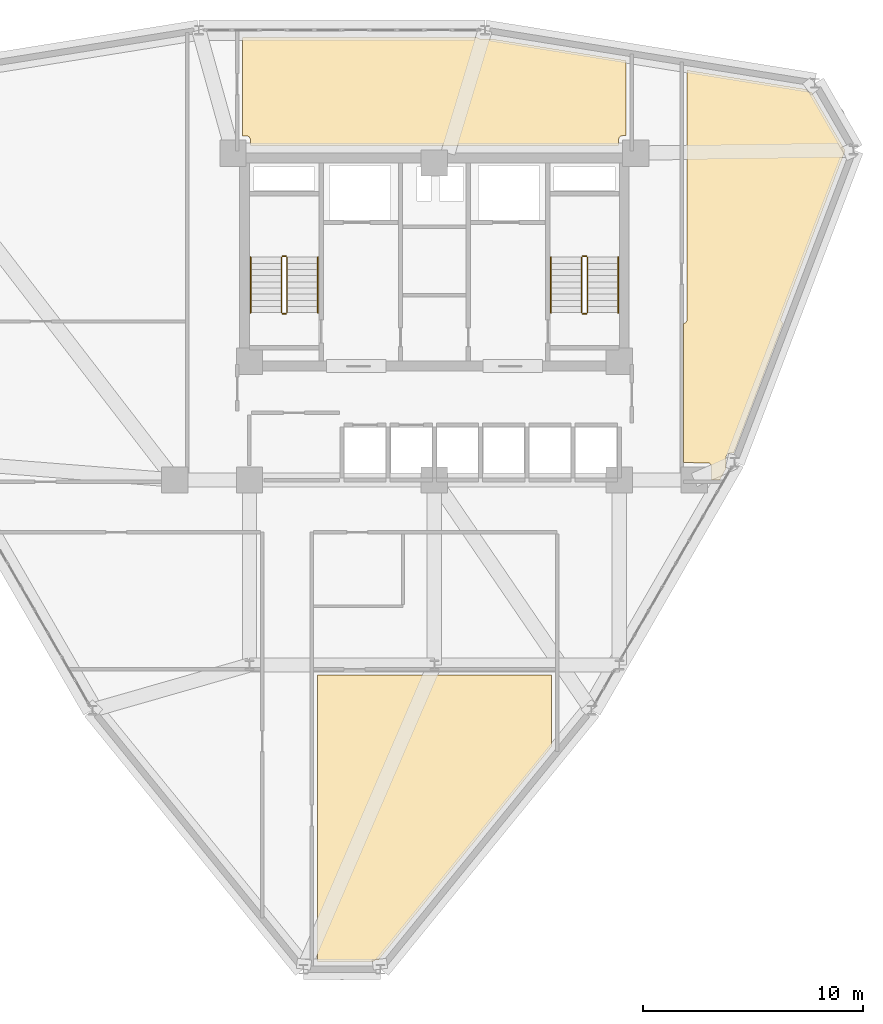
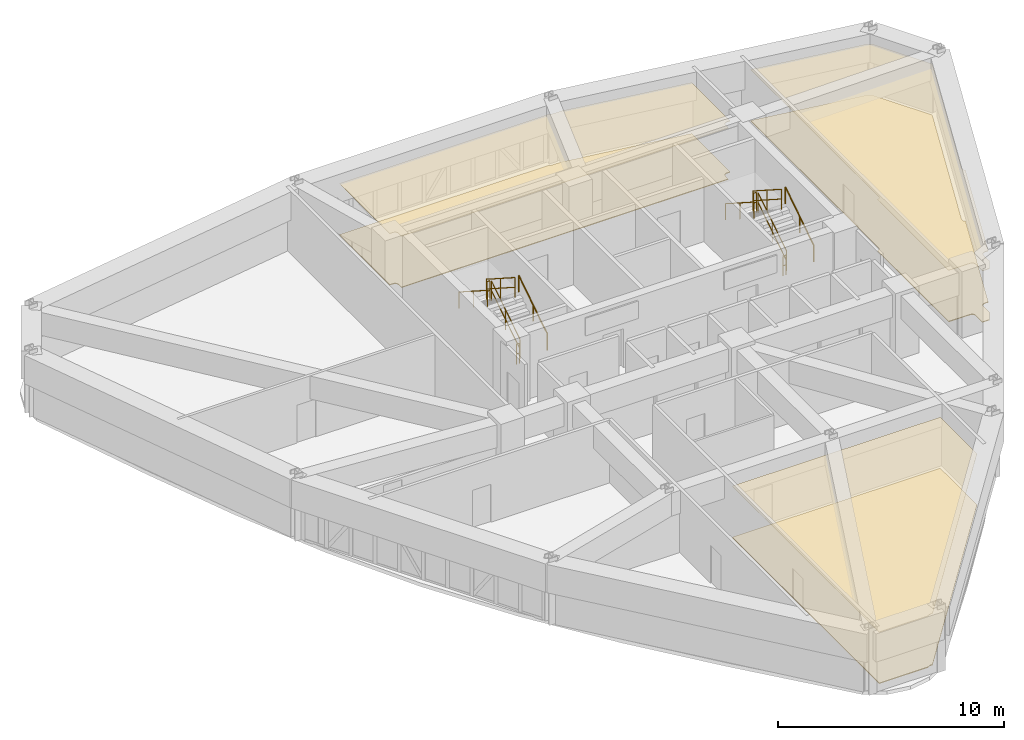
# One storey, part 13 of 13: 12 railings, 6 coverings.
"""IFC4 building model written with IfcOpenShell, lengths in metres."""

from ifc_helpers import new_model, si_unit, derived_unit, direction, frame, origin, origin_2d, place, context, subcontext, project, spatial, polyline, circle, outline, extrude, material, layer, layer_set, type_object, element, save


model = new_model("IFC4")

# Units and contexts
model_context = context("Model", 3, precision=1e-05, world=origin(), true_north=direction((0.0, 1.0)))
body_context = subcontext(model_context, "Body", "Model", "MODEL_VIEW")
ifc_project = project(units=[si_unit("LENGTHUNIT", "METRE"), si_unit("AREAUNIT", "SQUARE_METRE"), si_unit("VOLUMEUNIT", "CUBIC_METRE"), si_unit("PLANEANGLEUNIT", "RADIAN"), si_unit("MASSUNIT", "GRAM", prefix="KILO"), derived_unit("THERMALTRANSMITTANCEUNIT", [(si_unit("POWERUNIT", "WATT"), 1), (si_unit("LENGTHUNIT", "METRE"), -2), (si_unit("THERMODYNAMICTEMPERATUREUNIT", "KELVIN"), -1)])], contexts=[model_context])

# Site, building, storey
site_placement = place(None, origin())
site = spatial("IfcSite", under=ifc_project, at=site_placement, CompositionType="ELEMENT")
building_placement = place(site_placement, origin())
building = spatial("IfcBuilding", under=site, at=building_placement, Name="Korsvarv Bourse and Concert Hall", CompositionType="ELEMENT")
storey_placement = place(building_placement, frame((0.0, 0.0, 154.199951171875)))
storey = spatial("IfcBuildingStorey", under=building, at=storey_placement, Name="L39", CompositionType="ELEMENT", Elevation=154.199951171875)

# Coverings
ifc_material_1 = material(Name="Perforated mineral-wool and birch acoustic baffle ceiling", Category="wood")
ifc_layer_1 = layer(ifc_material_1, 0.02490234375)
ifc_layer_set_1 = layer_set([ifc_layer_1], Name="Perforated mineral-wool and birch acoustic baffle ceiling")
covering_type_1 = type_object("IfcCoveringType", Name="COV-CEIL-1", PredefinedType="CEILING", material=ifc_layer_set_1)
covering_1_placement = place(storey_placement, frame((0.0, 0.0, 2.780029296875)))
element("IfcCovering", 1, at=covering_1_placement, inside=storey, type_object=covering_type_1, Name="L39 acoustic baffle ceiling 1", PredefinedType="CEILING", context=body_context, shape_type="SweptSolid", body=[
    extrude(outline(polyline([(30.679931640625, 10.523681640625), (30.679931640625, 23.550048828125), (41.320068359375, 23.550048828125), (41.320068359375, 20.386474609375), (41.32373046875, 20.33935546875), (41.330810546875, 20.3046875), (33.4462890625, 10.59130859375), (33.346923828125, 10.59130859375), (33.31298828125, 10.588134765625), (33.2802734375, 10.57861328125), (33.249755859375, 10.56298828125), (33.222900390625, 10.5419921875), (33.20654296875, 10.523681640625), (30.679931640625, 10.523681640625)])), origin(), (0.0, 0.0, 1.0), 0.02490234375),
])
covering_2_placement = place(storey_placement, frame((0.0, 0.0, 2.780029296875)))
element("IfcCovering", 2, at=covering_2_placement, inside=storey, type_object=covering_type_1, Name="L39 acoustic baffle ceiling 2", PredefinedType="CEILING", context=body_context, shape_type="SweptSolid", body=[
    extrude(outline(polyline([(47.320068359375, 39.51123046875), (47.34521484375, 39.515869140625), (47.37939453125, 39.5283203125), (47.41015625, 39.547607421875), (47.4365234375, 39.57275390625), (47.45751953125, 39.602783203125), (47.4716796875, 39.635986328125), (47.47900390625, 39.671875), (47.47998046875, 51.01513671875), (52.8974609375, 50.1435546875), (52.907470703125, 50.121826171875), (52.927978515625, 50.092041015625), (52.9541015625, 50.067138671875), (52.984619140625, 50.047607421875), (53.018310546875, 50.034912109375), (53.05419921875, 50.029052734375), (53.1201171875, 50.02490234375), (54.637939453125, 47.39599609375), (54.637939453125, 47.3056640625), (51.75634765625, 39.743408203125), (51.7470703125, 39.70849609375), (51.74462890625, 39.672119140625), (51.75, 39.63623046875), (51.76220703125, 39.60205078125), (51.781005859375, 39.571044921875), (51.8056640625, 39.54443359375), (51.835205078125, 39.523193359375), (49.593994140625, 33.619140625), (49.42529296875, 33.619140625), (49.390625, 33.61572265625), (49.357421875, 33.605712890625), (49.326416015625, 33.589599609375), (49.29931640625, 33.56787109375), (49.277099609375, 33.541259765625), (49.260009765625, 33.5107421875), (49.24951171875, 33.477783203125), (49.2451171875, 33.443115234375), (49.235107421875, 32.998046875), (49.23779296875, 32.962890625), (49.24755859375, 32.9287109375), (48.951904296875, 32.394775390625), (48.927490234375, 32.40185546875), (48.892578125, 32.405517578125), (48.590087890625, 32.408447265625), (48.590087890625, 33.0), (48.586669921875, 33.034912109375), (48.576416015625, 33.068603515625), (48.56005859375, 33.099609375), (48.537841796875, 33.126708984375), (48.5107421875, 33.149169921875), (48.47998046875, 33.166015625), (48.4462890625, 33.17626953125), (48.41162109375, 33.179931640625), (47.320068359375, 33.18896484375), (47.320068359375, 39.51123046875)])), origin(), (0.0, 0.0, 1.0), 0.02490234375),
])
covering_3_placement = place(storey_placement, frame((0.0, 0.0, 2.780029296875)))
element("IfcCovering", 3, at=covering_3_placement, inside=storey, type_object=covering_type_1, Name="L39 acoustic baffle ceiling 3", PredefinedType="CEILING", context=body_context, shape_type="SweptSolid", body=[
    extrude(outline(polyline([(37.9560546875, 52.4931640625), (37.982666015625, 52.470703125), (38.012939453125, 52.4541015625), (38.0458984375, 52.443115234375), (38.08056640625, 52.439208984375), (38.50244140625, 52.42919921875), (38.537841796875, 52.431640625), (38.572021484375, 52.441162109375), (44.710693359375, 51.451416015625), (44.7099609375, 48.0400390625), (44.550048828125, 48.0400390625), (44.515380859375, 48.03662109375), (44.482177734375, 48.026611328125), (44.451416015625, 48.010498046875), (44.42431640625, 47.98876953125), (44.40185546875, 47.962158203125), (44.385009765625, 47.931640625), (44.374267578125, 47.898681640625), (44.3701171875, 47.864013671875), (44.364013671875, 47.60009765625), (27.639892578125, 47.60009765625), (27.639892578125, 47.85009765625), (27.63671875, 47.884521484375), (27.626708984375, 47.917724609375), (27.610595703125, 47.948486328125), (27.589111328125, 47.975341796875), (27.562744140625, 47.997802734375), (27.532470703125, 48.014892578125), (27.49951171875, 48.025634765625), (27.465087890625, 48.02978515625), (27.2900390625, 48.034912109375), (27.2900390625, 52.49658203125), (37.9560546875, 52.4931640625)])), origin(), (0.0, 0.0, 1.0), 0.02490234375),
])
ifc_material_2 = material(Name="Calcium-sulphate raised access trading floor with Nordic oak top", Category="wood")
ifc_layer_2 = layer(ifc_material_2, 0.0400390625)
ifc_layer_set_2 = layer_set([ifc_layer_2], Name="Calcium-sulphate raised access trading floor with Nordic oak top")
covering_type_2 = type_object("IfcCoveringType", Name="COV-FLOR-1", PredefinedType="FLOORING", material=ifc_layer_set_2)
covering_4_placement = place(storey_placement, origin())
element("IfcCovering", 4, at=covering_4_placement, inside=storey, type_object=covering_type_2, Name="L39 raised access oak floor finish 1", PredefinedType="FLOORING", context=body_context, shape_type="SweptSolid", body=[
    extrude(outline(polyline([(30.679931640625, 10.523681640625), (30.679931640625, 23.550048828125), (41.320068359375, 23.550048828125), (41.320068359375, 20.386474609375), (41.32373046875, 20.33935546875), (41.330810546875, 20.3046875), (33.4462890625, 10.59130859375), (33.346923828125, 10.59130859375), (33.31298828125, 10.588134765625), (33.2802734375, 10.57861328125), (33.249755859375, 10.56298828125), (33.222900390625, 10.5419921875), (33.20654296875, 10.523681640625), (30.679931640625, 10.523681640625)])), origin(), (0.0, 0.0, 1.0), 0.0400390625),
])
covering_5_placement = place(storey_placement, origin())
element("IfcCovering", 5, at=covering_5_placement, inside=storey, type_object=covering_type_2, Name="L39 raised access oak floor finish 2", PredefinedType="FLOORING", context=body_context, shape_type="SweptSolid", body=[
    extrude(outline(polyline([(47.320068359375, 39.51123046875), (47.34521484375, 39.515869140625), (47.37939453125, 39.5283203125), (47.41015625, 39.547607421875), (47.4365234375, 39.57275390625), (47.45751953125, 39.602783203125), (47.4716796875, 39.635986328125), (47.47900390625, 39.671875), (47.47998046875, 51.01513671875), (52.8974609375, 50.1435546875), (52.907470703125, 50.121826171875), (52.927978515625, 50.092041015625), (52.9541015625, 50.067138671875), (52.984619140625, 50.047607421875), (53.018310546875, 50.034912109375), (53.05419921875, 50.029052734375), (53.1201171875, 50.02490234375), (54.637939453125, 47.39599609375), (54.637939453125, 47.3056640625), (51.75634765625, 39.743408203125), (51.7470703125, 39.70849609375), (51.74462890625, 39.672119140625), (51.75, 39.63623046875), (51.76220703125, 39.60205078125), (51.781005859375, 39.571044921875), (51.8056640625, 39.54443359375), (51.835205078125, 39.523193359375), (49.593994140625, 33.619140625), (49.42529296875, 33.619140625), (49.390625, 33.61572265625), (49.357421875, 33.605712890625), (49.326416015625, 33.589599609375), (49.29931640625, 33.56787109375), (49.277099609375, 33.541259765625), (49.260009765625, 33.5107421875), (49.24951171875, 33.477783203125), (49.2451171875, 33.443115234375), (49.235107421875, 32.998046875), (49.23779296875, 32.962890625), (49.24755859375, 32.9287109375), (48.951904296875, 32.394775390625), (48.927490234375, 32.40185546875), (48.892578125, 32.405517578125), (48.590087890625, 32.408447265625), (48.590087890625, 33.0), (48.586669921875, 33.034912109375), (48.576416015625, 33.068603515625), (48.56005859375, 33.099609375), (48.537841796875, 33.126708984375), (48.5107421875, 33.149169921875), (48.47998046875, 33.166015625), (48.4462890625, 33.17626953125), (48.41162109375, 33.179931640625), (47.320068359375, 33.18896484375), (47.320068359375, 39.51123046875)])), origin(), (0.0, 0.0, 1.0), 0.0400390625),
])
covering_6_placement = place(storey_placement, origin())
element("IfcCovering", 6, at=covering_6_placement, inside=storey, type_object=covering_type_2, Name="L39 raised access oak floor finish 3", PredefinedType="FLOORING", context=body_context, shape_type="SweptSolid", body=[
    extrude(outline(polyline([(37.9560546875, 52.4931640625), (37.982666015625, 52.470703125), (38.012939453125, 52.4541015625), (38.0458984375, 52.443115234375), (38.08056640625, 52.439208984375), (38.50244140625, 52.42919921875), (38.537841796875, 52.431640625), (38.572021484375, 52.441162109375), (44.710693359375, 51.451416015625), (44.7099609375, 48.0400390625), (44.550048828125, 48.0400390625), (44.515380859375, 48.03662109375), (44.482177734375, 48.026611328125), (44.451416015625, 48.010498046875), (44.42431640625, 47.98876953125), (44.40185546875, 47.962158203125), (44.385009765625, 47.931640625), (44.374267578125, 47.898681640625), (44.3701171875, 47.864013671875), (44.364013671875, 47.60009765625), (27.639892578125, 47.60009765625), (27.639892578125, 47.85009765625), (27.63671875, 47.884521484375), (27.626708984375, 47.917724609375), (27.610595703125, 47.948486328125), (27.589111328125, 47.975341796875), (27.562744140625, 47.997802734375), (27.532470703125, 48.014892578125), (27.49951171875, 48.025634765625), (27.465087890625, 48.02978515625), (27.2900390625, 48.034912109375), (27.2900390625, 52.49658203125), (37.9560546875, 52.4931640625)])), origin(), (0.0, 0.0, 1.0), 0.0400390625),
])

# Railings
ifc_material_3 = material(Name="Painted Steel S355 stair well guardrail", Category="steel")
railing_type_1 = type_object("IfcRailingType", Name="RL-ST-GRD", PredefinedType="GUARDRAIL", material=ifc_material_3)
railing_1_placement = place(storey_placement, frame((29.31005859375, 40.0, 0.179931640625)))
element("IfcRailing", 7, at=railing_1_placement, inside=storey, type_object=railing_type_1, Name="L39 ST-T1 stair guard 1", PredefinedType="GUARDRAIL", context=body_context, shape_type="SweptSolid", body=[
    extrude(circle(Radius=0.02392578125, at=origin_2d()), frame((0.0, 0.0, 1.076171875), z_axis=(0.0, 0.841162588446, 0.540782303519), x_axis=(-1.0, 0.0, 0.0)), (0.0, 0.0, 1.0), 2.995849609375),
    extrude(circle(Radius=0.02392578125, at=origin_2d()), frame((0.0, 0.0, 0.550048828125), z_axis=(0.0, 0.841162588446, 0.540782303519), x_axis=(-1.0, 0.0, 0.0)), (0.0, 0.0, 1.0), 2.995849609375),
    extrude(circle(Radius=0.02099609375, at=origin_2d()), origin(), (0.0, 0.0, 1.0), 1.052001953125),
    extrude(circle(Radius=0.02099609375, at=origin_2d()), frame((0.0, 1.260009765625, 0.81005859375)), (0.0, 0.0, 1.0), 1.052001953125),
    extrude(circle(Radius=0.02099609375, at=origin_2d()), frame((0.0, 2.52001953125, 1.6201171875)), (0.0, 0.0, 1.0), 1.052001953125),
])
railing_2_placement = place(storey_placement, frame((29.260009765625, 42.570068359375, 1.800048828125)))
element("IfcRailing", 8, at=railing_2_placement, inside=storey, type_object=railing_type_1, Name="L39 ST-T1 stair guard 2", PredefinedType="GUARDRAIL", context=body_context, shape_type="SweptSolid", body=[
    extrude(circle(Radius=0.02392578125, at=origin_2d()), frame((0.0, 0.0, 1.076171875), z_axis=(-1.0, 0.0, 0.0), x_axis=(0.0, -1.0, 0.0)), (0.0, 0.0, 1.0), 0.159912109375),
    extrude(circle(Radius=0.02392578125, at=origin_2d()), frame((0.0, 0.0, 0.550048828125), z_axis=(-1.0, 0.0, 0.0), x_axis=(0.0, -1.0, 0.0)), (0.0, 0.0, 1.0), 0.159912109375),
    extrude(circle(Radius=0.02099609375, at=origin_2d()), origin(), (0.0, 0.0, 1.0), 1.052001953125),
    extrude(circle(Radius=0.02099609375, at=origin_2d()), frame((-0.159912109375, 0.0, 0.0)), (0.0, 0.0, 1.0), 1.052001953125),
])
railing_3_placement = place(storey_placement, frame((29.050048828125, 42.52001953125, 1.97998046875)))
element("IfcRailing", 9, at=railing_3_placement, inside=storey, type_object=railing_type_1, Name="L39 ST-T1 stair guard 3", PredefinedType="GUARDRAIL", context=body_context, shape_type="SweptSolid", body=[
    extrude(circle(Radius=0.02392578125, at=origin_2d()), frame((0.0, 0.0, 1.076171875), z_axis=(0.0, -0.841162588446, 0.540782303519), x_axis=(1.0, 0.0, 0.0)), (0.0, 0.0, 1.0), 2.995849609375),
    extrude(circle(Radius=0.02392578125, at=origin_2d()), frame((0.0, 0.0, 0.550048828125), z_axis=(0.0, -0.841162588446, 0.540782303519), x_axis=(1.0, 0.0, 0.0)), (0.0, 0.0, 1.0), 2.995849609375),
    extrude(circle(Radius=0.02099609375, at=origin_2d()), origin(), (0.0, 0.0, 1.0), 1.052001953125),
    extrude(circle(Radius=0.02099609375, at=origin_2d()), frame((0.0, -1.260009765625, 0.81005859375)), (0.0, 0.0, 1.0), 1.052001953125),
    extrude(circle(Radius=0.02099609375, at=origin_2d()), frame((0.0, -2.52001953125, 1.6201171875)), (0.0, 0.0, 1.0), 1.052001953125),
])
railing_4_placement = place(storey_placement, frame((29.260009765625, 39.949951171875, 0.0)))
element("IfcRailing", 10, at=railing_4_placement, inside=storey, type_object=railing_type_1, Name="L39 ST-T1 stair guard 4", PredefinedType="GUARDRAIL", context=body_context, shape_type="SweptSolid", body=[
    extrude(circle(Radius=0.02392578125, at=origin_2d()), frame((0.0, 0.0, 1.076171875), z_axis=(-1.0, 0.0, 0.0), x_axis=(0.0, -1.0, 0.0)), (0.0, 0.0, 1.0), 0.159912109375),
    extrude(circle(Radius=0.02392578125, at=origin_2d()), frame((0.0, 0.0, 0.550048828125), z_axis=(-1.0, 0.0, 0.0), x_axis=(0.0, -1.0, 0.0)), (0.0, 0.0, 1.0), 0.159912109375),
    extrude(circle(Radius=0.02099609375, at=origin_2d()), origin(), (0.0, 0.0, 1.0), 1.052001953125),
    extrude(circle(Radius=0.02099609375, at=origin_2d()), frame((-0.159912109375, 0.0, 0.0)), (0.0, 0.0, 1.0), 1.052001953125),
])
railing_5_placement = place(storey_placement, frame((42.949951171875, 40.0, 0.179931640625)))
element("IfcRailing", 11, at=railing_5_placement, inside=storey, type_object=railing_type_1, Name="L39 ST-T2 stair guard 1", PredefinedType="GUARDRAIL", context=body_context, shape_type="SweptSolid", body=[
    extrude(circle(Radius=0.02392578125, at=origin_2d()), frame((0.0, 0.0, 1.076171875), z_axis=(0.0, 0.841162588446, 0.540782303519), x_axis=(-1.0, 0.0, 0.0)), (0.0, 0.0, 1.0), 2.995849609375),
    extrude(circle(Radius=0.02392578125, at=origin_2d()), frame((0.0, 0.0, 0.550048828125), z_axis=(0.0, 0.841162588446, 0.540782303519), x_axis=(-1.0, 0.0, 0.0)), (0.0, 0.0, 1.0), 2.995849609375),
    extrude(circle(Radius=0.02099609375, at=origin_2d()), origin(), (0.0, 0.0, 1.0), 1.052001953125),
    extrude(circle(Radius=0.02099609375, at=origin_2d()), frame((0.0, 1.260009765625, 0.81005859375)), (0.0, 0.0, 1.0), 1.052001953125),
    extrude(circle(Radius=0.02099609375, at=origin_2d()), frame((0.0, 2.52001953125, 1.6201171875)), (0.0, 0.0, 1.0), 1.052001953125),
])
railing_6_placement = place(storey_placement, frame((42.89990234375, 42.570068359375, 1.800048828125)))
element("IfcRailing", 12, at=railing_6_placement, inside=storey, type_object=railing_type_1, Name="L39 ST-T2 stair guard 2", PredefinedType="GUARDRAIL", context=body_context, shape_type="SweptSolid", body=[
    extrude(circle(Radius=0.02392578125, at=origin_2d()), frame((0.0, 0.0, 1.076171875), z_axis=(-1.0, 0.0, 0.0), x_axis=(0.0, -1.0, 0.0)), (0.0, 0.0, 1.0), 0.159912109375),
    extrude(circle(Radius=0.02392578125, at=origin_2d()), frame((0.0, 0.0, 0.550048828125), z_axis=(-1.0, 0.0, 0.0), x_axis=(0.0, -1.0, 0.0)), (0.0, 0.0, 1.0), 0.159912109375),
    extrude(circle(Radius=0.02099609375, at=origin_2d()), origin(), (0.0, 0.0, 1.0), 1.052001953125),
    extrude(circle(Radius=0.02099609375, at=origin_2d()), frame((-0.159912109375, 0.0, 0.0)), (0.0, 0.0, 1.0), 1.052001953125),
])
railing_7_placement = place(storey_placement, frame((42.68994140625, 42.52001953125, 1.97998046875)))
element("IfcRailing", 13, at=railing_7_placement, inside=storey, type_object=railing_type_1, Name="L39 ST-T2 stair guard 3", PredefinedType="GUARDRAIL", context=body_context, shape_type="SweptSolid", body=[
    extrude(circle(Radius=0.02392578125, at=origin_2d()), frame((0.0, 0.0, 1.076171875), z_axis=(0.0, -0.841162588446, 0.540782303519), x_axis=(1.0, 0.0, 0.0)), (0.0, 0.0, 1.0), 2.995849609375),
    extrude(circle(Radius=0.02392578125, at=origin_2d()), frame((0.0, 0.0, 0.550048828125), z_axis=(0.0, -0.841162588446, 0.540782303519), x_axis=(1.0, 0.0, 0.0)), (0.0, 0.0, 1.0), 2.995849609375),
    extrude(circle(Radius=0.02099609375, at=origin_2d()), origin(), (0.0, 0.0, 1.0), 1.052001953125),
    extrude(circle(Radius=0.02099609375, at=origin_2d()), frame((0.0, -1.260009765625, 0.81005859375)), (0.0, 0.0, 1.0), 1.052001953125),
    extrude(circle(Radius=0.02099609375, at=origin_2d()), frame((0.0, -2.52001953125, 1.6201171875)), (0.0, 0.0, 1.0), 1.052001953125),
])
railing_8_placement = place(storey_placement, frame((42.89990234375, 39.949951171875, 0.0)))
element("IfcRailing", 14, at=railing_8_placement, inside=storey, type_object=railing_type_1, Name="L39 ST-T2 stair guard 4", PredefinedType="GUARDRAIL", context=body_context, shape_type="SweptSolid", body=[
    extrude(circle(Radius=0.02392578125, at=origin_2d()), frame((0.0, 0.0, 1.076171875), z_axis=(-1.0, 0.0, 0.0), x_axis=(0.0, -1.0, 0.0)), (0.0, 0.0, 1.0), 0.159912109375),
    extrude(circle(Radius=0.02392578125, at=origin_2d()), frame((0.0, 0.0, 0.550048828125), z_axis=(-1.0, 0.0, 0.0), x_axis=(0.0, -1.0, 0.0)), (0.0, 0.0, 1.0), 0.159912109375),
    extrude(circle(Radius=0.02099609375, at=origin_2d()), origin(), (0.0, 0.0, 1.0), 1.052001953125),
    extrude(circle(Radius=0.02099609375, at=origin_2d()), frame((-0.159912109375, 0.0, 0.0)), (0.0, 0.0, 1.0), 1.052001953125),
])
ifc_material_4 = material(Name="Brushed stainless Steel S355 tubular handrail", Category="steel")
railing_type_2 = type_object("IfcRailingType", Name="RL-ST-HND", PredefinedType="HANDRAIL", material=ifc_material_4)
railing_9_placement = place(storey_placement, frame((30.7099609375, 40.0, 0.179931640625)))
element("IfcRailing", 15, at=railing_9_placement, inside=storey, type_object=railing_type_2, Name="L39 ST-T1 stair handrail 1", PredefinedType="HANDRAIL", context=body_context, shape_type="SweptSolid", body=[
    extrude(circle(Radius=0.02392578125, at=origin_2d()), frame((0.0, 0.0, 0.8759765625), z_axis=(0.0, 0.841162588446, 0.540782303519), x_axis=(-1.0, 0.0, 0.0)), (0.0, 0.0, 1.0), 2.995849609375),
    extrude(circle(Radius=0.02099609375, at=origin_2d()), origin(), (0.0, 0.0, 1.0), 0.851806640625),
    extrude(circle(Radius=0.02099609375, at=origin_2d()), frame((0.0, 1.260009765625, 0.81005859375)), (0.0, 0.0, 1.0), 0.851806640625),
    extrude(circle(Radius=0.02099609375, at=origin_2d()), frame((0.0, 2.52001953125, 1.6201171875)), (0.0, 0.0, 1.0), 0.851806640625),
])
railing_10_placement = place(storey_placement, frame((27.64990234375, 42.52001953125, 1.97998046875)))
element("IfcRailing", 16, at=railing_10_placement, inside=storey, type_object=railing_type_2, Name="L39 ST-T1 stair handrail 2", PredefinedType="HANDRAIL", context=body_context, shape_type="SweptSolid", body=[
    extrude(circle(Radius=0.02392578125, at=origin_2d()), frame((0.0, 0.0, 0.8759765625), z_axis=(0.0, -0.841162588446, 0.540782303519), x_axis=(1.0, 0.0, 0.0)), (0.0, 0.0, 1.0), 2.995849609375),
    extrude(circle(Radius=0.02099609375, at=origin_2d()), origin(), (0.0, 0.0, 1.0), 0.851806640625),
    extrude(circle(Radius=0.02099609375, at=origin_2d()), frame((0.0, -1.260009765625, 0.81005859375)), (0.0, 0.0, 1.0), 0.851806640625),
    extrude(circle(Radius=0.02099609375, at=origin_2d()), frame((0.0, -2.52001953125, 1.6201171875)), (0.0, 0.0, 1.0), 0.851806640625),
])
railing_11_placement = place(storey_placement, frame((44.35009765625, 40.0, 0.179931640625)))
element("IfcRailing", 17, at=railing_11_placement, inside=storey, type_object=railing_type_2, Name="L39 ST-T2 stair handrail 1", PredefinedType="HANDRAIL", context=body_context, shape_type="SweptSolid", body=[
    extrude(circle(Radius=0.02392578125, at=origin_2d()), frame((0.0, 0.0, 0.8759765625), z_axis=(0.0, 0.841162588446, 0.540782303519), x_axis=(-1.0, 0.0, 0.0)), (0.0, 0.0, 1.0), 2.995849609375),
    extrude(circle(Radius=0.02099609375, at=origin_2d()), origin(), (0.0, 0.0, 1.0), 0.851806640625),
    extrude(circle(Radius=0.02099609375, at=origin_2d()), frame((0.0, 1.260009765625, 0.81005859375)), (0.0, 0.0, 1.0), 0.851806640625),
    extrude(circle(Radius=0.02099609375, at=origin_2d()), frame((0.0, 2.52001953125, 1.6201171875)), (0.0, 0.0, 1.0), 0.851806640625),
])
railing_12_placement = place(storey_placement, frame((41.2900390625, 42.52001953125, 1.97998046875)))
element("IfcRailing", 18, at=railing_12_placement, inside=storey, type_object=railing_type_2, Name="L39 ST-T2 stair handrail 2", PredefinedType="HANDRAIL", context=body_context, shape_type="SweptSolid", body=[
    extrude(circle(Radius=0.02392578125, at=origin_2d()), frame((0.0, 0.0, 0.8759765625), z_axis=(0.0, -0.841162588446, 0.540782303519), x_axis=(1.0, 0.0, 0.0)), (0.0, 0.0, 1.0), 2.995849609375),
    extrude(circle(Radius=0.02099609375, at=origin_2d()), origin(), (0.0, 0.0, 1.0), 0.851806640625),
    extrude(circle(Radius=0.02099609375, at=origin_2d()), frame((0.0, -1.260009765625, 0.81005859375)), (0.0, 0.0, 1.0), 0.851806640625),
    extrude(circle(Radius=0.02099609375, at=origin_2d()), frame((0.0, -2.52001953125, 1.6201171875)), (0.0, 0.0, 1.0), 0.851806640625),
])

save(model, "model.ifc")
